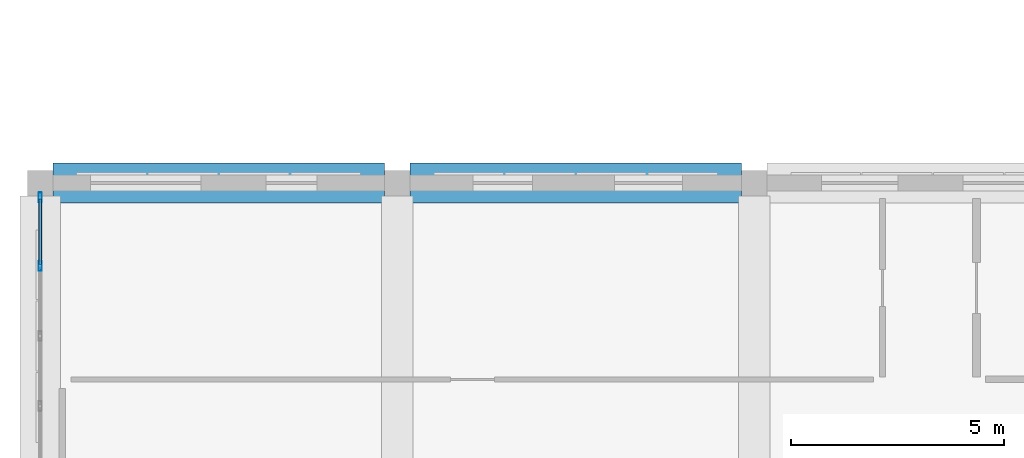
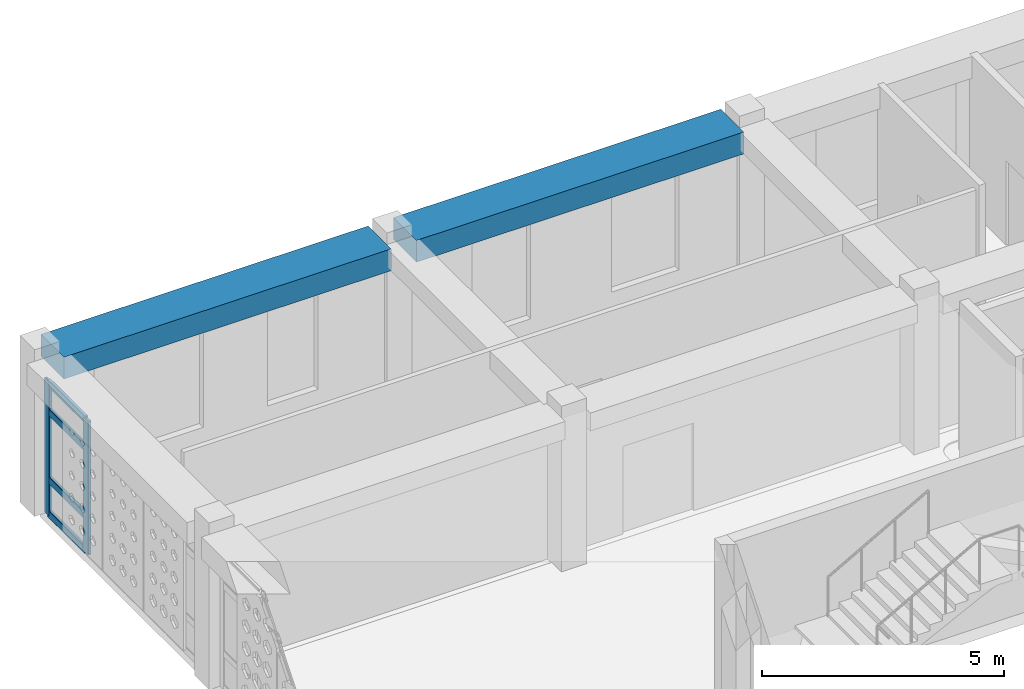
# One storey, part 12 of 48: 6 members, 2 beams, 1 element without a shape of its own.
"""IFC4 building model written with IfcOpenShell, lengths in metres."""

from ifc_helpers import new_model, si_unit, derived_unit, direction, frame, origin, origin_2d, place, context, subcontext, project, spatial, rectangle, hollow_rectangle, extrude, material, material_profile, profile_set, type_object, element, aggregate, save


model = new_model("IFC4")

# Units and contexts
model_context = context("Model", 3, precision=1e-05, world=origin(), true_north=direction((0.0, 1.0)))
body_context = subcontext(model_context, "Body", "Model", "MODEL_VIEW")
ifc_project = project(units=[si_unit("LENGTHUNIT", "METRE"), si_unit("AREAUNIT", "SQUARE_METRE"), si_unit("VOLUMEUNIT", "CUBIC_METRE"), si_unit("PLANEANGLEUNIT", "RADIAN"), si_unit("MASSUNIT", "GRAM", prefix="KILO"), derived_unit("THERMALTRANSMITTANCEUNIT", [(si_unit("POWERUNIT", "WATT"), 1), (si_unit("LENGTHUNIT", "METRE"), -2), (si_unit("THERMODYNAMICTEMPERATUREUNIT", "KELVIN"), -1)])], contexts=[model_context])

# Site, building, storey
site_placement = place(None, origin())
site = spatial("IfcSite", under=ifc_project, at=site_placement, CompositionType="ELEMENT")
building_placement = place(site_placement, origin())
building = spatial("IfcBuilding", under=site, at=building_placement, Name="Veybourne Emporium", CompositionType="ELEMENT")
storey_placement = place(building_placement, frame((0.0, 0.0, 27.89990234375)))
storey = spatial("IfcBuildingStorey", under=building, at=storey_placement, Name="L06", CompositionType="ELEMENT", Elevation=27.89990234375)

# Curtain wall, members
ifc_material_1 = material(Name="Patinated Architectural Bronze", Category="bronze")
curtain_wall_type = type_object("IfcCurtainWallType", Name="CWSystem_CWS-14", PredefinedType="NOTDEFINED", material=ifc_material_1)
curtain_wall_placement = place(storey_placement, origin())
curtain_wall = element("IfcCurtainWall", 1, at=curtain_wall_placement, inside=storey, type_object=curtain_wall_type, Name="L06 bronze glazed curtain wall CWS-14 (007)", PredefinedType="NOTDEFINED")
ifc_material_profile_1 = material_profile(ifc_material_1, hollow_rectangle(XDim=0.074951171875, YDim=0.22998046875, WallThickness=0.0048828125, InnerFilletRadius=0.007568359375, OuterFilletRadius=0.012451171875, at=origin_2d()), Name="CWM 75x230x5")
ifc_profile_set_1 = profile_set([ifc_material_profile_1], Name="Patinated Architectural Bronze")
member_type_1 = type_object("IfcMemberType", Name="CWMullion_CW-M2", PredefinedType="MULLION", material=ifc_profile_set_1)
member_1_placement = place(storey_placement, frame((0.0, 48.449951171875, 0.0), z_axis=(0.0, 0.0, 1.0), x_axis=(-1.0, 0.0, 0.0)))
member_1 = element("IfcMember", 2, at=member_1_placement, type_object=member_type_1, Name="CWS-14 mullion 4", PredefinedType="MULLION", context=body_context, shape_type="SweptSolid", body=[
    extrude(hollow_rectangle(XDim=0.074951171875, YDim=0.22998046875, WallThickness=0.0048828125, InnerFilletRadius=0.007568359375, OuterFilletRadius=0.012451171875, at=origin_2d()), origin(), (0.0, 0.0, 1.0), 3.360107421875),
])
member_2_placement = place(storey_placement, frame((0.0, 50.0625, 0.0), z_axis=(0.0, 0.0, 1.0), x_axis=(-1.0, 0.0, 0.0)))
member_2 = element("IfcMember", 3, at=member_2_placement, type_object=member_type_1, Name="CWS-14 mullion 5", PredefinedType="MULLION", context=body_context, shape_type="SweptSolid", body=[
    extrude(hollow_rectangle(XDim=0.074951171875, YDim=0.22998046875, WallThickness=0.0048828125, InnerFilletRadius=0.007568359375, OuterFilletRadius=0.012451171875, at=origin_2d()), origin(), (0.0, 0.0, 1.0), 3.360107421875),
])
ifc_material_profile_2 = material_profile(ifc_material_1, hollow_rectangle(XDim=0.074951171875, YDim=0.179931640625, WallThickness=0.0048828125, InnerFilletRadius=0.007568359375, OuterFilletRadius=0.012451171875, at=origin_2d()), Name="CWT 75x180x5")
ifc_profile_set_2 = profile_set([ifc_material_profile_2], Name="Patinated Architectural Bronze")
member_type_2 = type_object("IfcMemberType", Name="CWTransom_CW-T2", PredefinedType="NOTDEFINED", material=ifc_profile_set_2)
member_3_placement = place(storey_placement, frame((0.0, 48.487548828125, 0.03759765625), z_axis=(0.0, 1.0, 0.0), x_axis=(-1.0, 0.0, 0.0)))
member_3 = element("IfcMember", 4, at=member_3_placement, type_object=member_type_2, Name="CWS-14 transom 4.1", ObjectType="TRANSOM", PredefinedType="USERDEFINED", context=body_context, shape_type="SweptSolid", body=[
    extrude(hollow_rectangle(XDim=0.074951171875, YDim=0.179931640625, WallThickness=0.0048828125, InnerFilletRadius=0.007568359375, OuterFilletRadius=0.012451171875, at=origin_2d()), origin(), (0.0, 0.0, 1.0), 1.537353515625),
])
member_4_placement = place(storey_placement, frame((0.0, 48.487548828125, 0.900146484375), z_axis=(0.0, 1.0, 0.0), x_axis=(-1.0, 0.0, 0.0)))
member_4 = element("IfcMember", 5, at=member_4_placement, type_object=member_type_2, Name="CWS-14 transom 4.2", ObjectType="TRANSOM", PredefinedType="USERDEFINED", context=body_context, shape_type="SweptSolid", body=[
    extrude(hollow_rectangle(XDim=0.074951171875, YDim=0.179931640625, WallThickness=0.0048828125, InnerFilletRadius=0.007568359375, OuterFilletRadius=0.012451171875, at=origin_2d()), origin(), (0.0, 0.0, 1.0), 1.537353515625),
])
member_5_placement = place(storey_placement, frame((0.0, 48.487548828125, 2.610107421875), z_axis=(0.0, 1.0, 0.0), x_axis=(-1.0, 0.0, 0.0)))
member_5 = element("IfcMember", 6, at=member_5_placement, type_object=member_type_2, Name="CWS-14 transom 4.3", ObjectType="TRANSOM", PredefinedType="USERDEFINED", context=body_context, shape_type="SweptSolid", body=[
    extrude(hollow_rectangle(XDim=0.074951171875, YDim=0.179931640625, WallThickness=0.0048828125, InnerFilletRadius=0.007568359375, OuterFilletRadius=0.012451171875, at=origin_2d()), origin(), (0.0, 0.0, 1.0), 1.537353515625),
])
member_6_placement = place(storey_placement, frame((0.0, 48.487548828125, 3.322509765625), z_axis=(0.0, 1.0, 0.0), x_axis=(-1.0, 0.0, 0.0)))
member_6 = element("IfcMember", 7, at=member_6_placement, type_object=member_type_2, Name="CWS-14 transom 4.4", ObjectType="TRANSOM", PredefinedType="USERDEFINED", context=body_context, shape_type="SweptSolid", body=[
    extrude(hollow_rectangle(XDim=0.074951171875, YDim=0.179931640625, WallThickness=0.0048828125, InnerFilletRadius=0.007568359375, OuterFilletRadius=0.012451171875, at=origin_2d()), origin(), (0.0, 0.0, 1.0), 1.537353515625),
])
aggregate(curtain_wall, [member_1, member_2, member_3, member_4, member_5, member_6])

# Beams
ifc_material_2 = material(Name="Concrete C32/40", Category="concrete")
ifc_material_profile_3 = material_profile(ifc_material_2, rectangle(XDim=0.949951171875, YDim=0.550048828125, at=origin_2d()), Name="RC 950x550")
ifc_profile_set_3 = profile_set([ifc_material_profile_3], Name="Concrete C32/40")
beam_type = type_object("IfcBeamType", Name="RCBeam_EB-01", PredefinedType="SPANDREL", material=ifc_profile_set_3)
for number, where, z_axis, x_axis, name in (
    (8, (0.300048828125, 50.39990234375, 3.635009765625), (1.0, 0.0, 0.0), (0.0, 1.0, 0.0), "L06 X-grid beam EB-01 (0,7)"),
    (9, (8.699951171875, 50.39990234375, 3.635009765625), (1.0, 0.0, 0.0), (0.0, 1.0, 0.0), "L06 X-grid beam EB-01 (1,7)"),
):
    element("IfcBeam", number, at=place(storey_placement, frame(where, z_axis=z_axis, x_axis=x_axis)), inside=storey, type_object=beam_type, Name=name, PredefinedType="SPANDREL", context=body_context, shape_type="SweptSolid", body=[
        extrude(rectangle(XDim=0.949951171875, YDim=0.550048828125, at=origin_2d()), origin(), (0.0, 0.0, 1.0), 7.800048828125),
    ])

save(model, "model.ifc")
